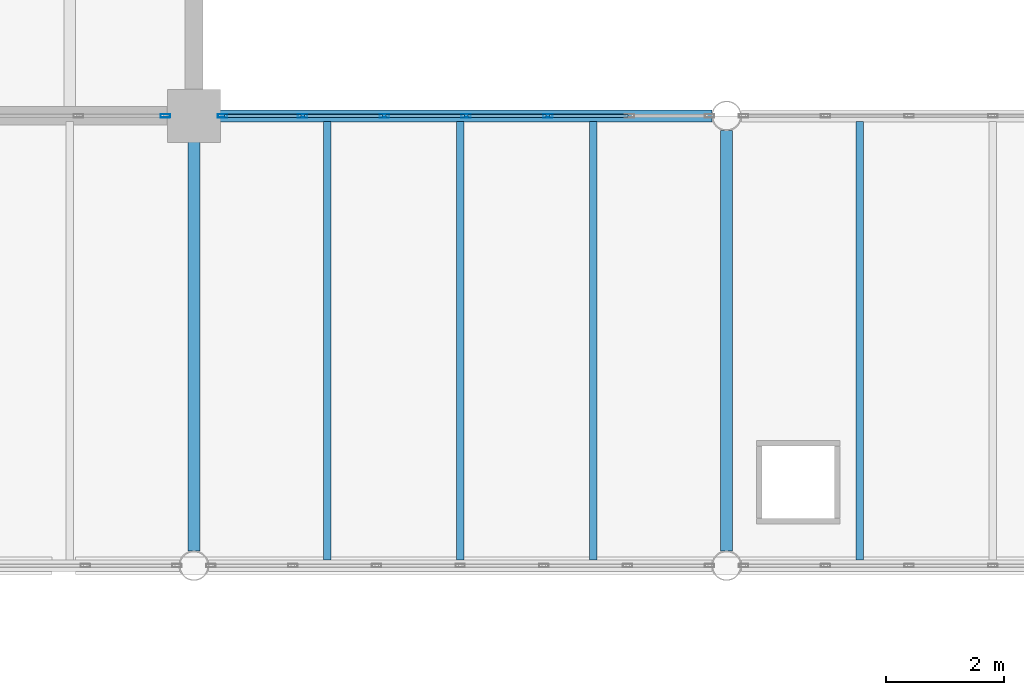
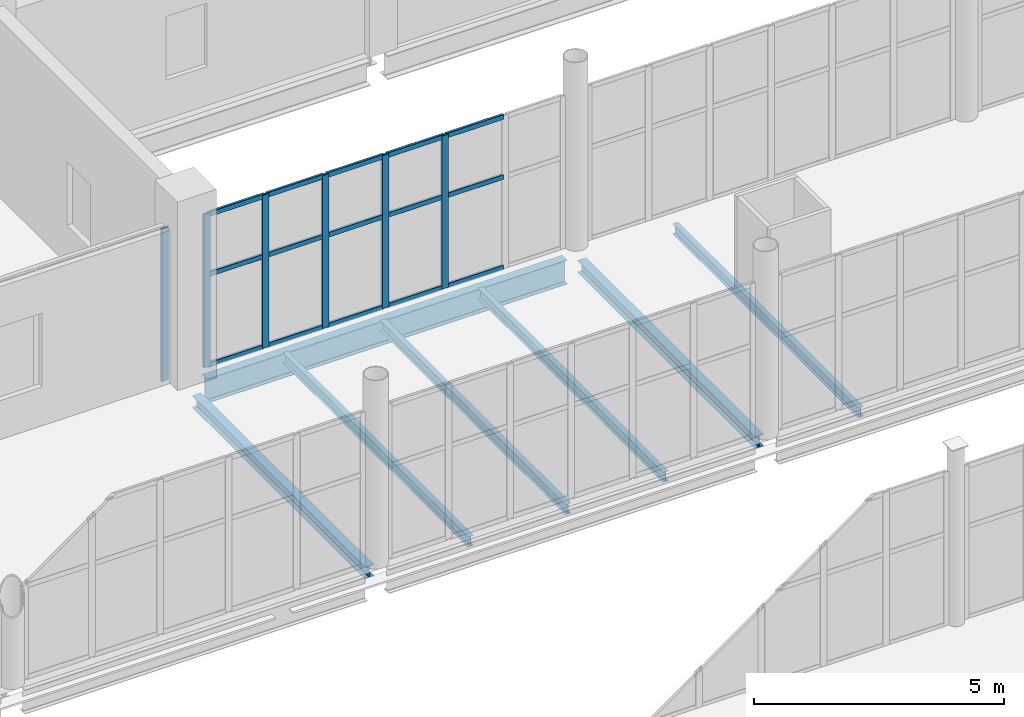
# One storey, part 91 of 172: 21 members, 7 beams, 2 elements without a shape of their own.
"""IFC4 building model written with IfcOpenShell, lengths in metres."""

from ifc_helpers import new_model, si_unit, direction, frame, origin, origin_2d, place, context, subcontext, project, spatial, hollow_rectangle, i_section, extrude, material, material_profile, profile_set, type_object, element, aggregate, save


model = new_model("IFC4")

# Units and contexts
model_context = context("Model", 3, precision=1e-05, world=origin(), true_north=direction((0.0, 1.0)))
body_context = subcontext(model_context, "Body", "Model", "MODEL_VIEW")
ifc_project = project(units=[si_unit("LENGTHUNIT", "METRE"), si_unit("AREAUNIT", "SQUARE_METRE"), si_unit("VOLUMEUNIT", "CUBIC_METRE"), si_unit("PLANEANGLEUNIT", "RADIAN"), si_unit("MASSUNIT", "GRAM", prefix="KILO")], contexts=[model_context])

# Site, building, storey
site_placement = place(None, origin())
site = spatial("IfcSite", under=ifc_project, at=site_placement, CompositionType="ELEMENT")
building_placement = place(site_placement, origin())
building = spatial("IfcBuilding", under=site, at=building_placement, Name="Shengluoqiao Park Theatre", CompositionType="ELEMENT")
storey_placement = place(building_placement, frame((0.0, 0.0, 5.39990234375)))
storey = spatial("IfcBuildingStorey", under=building, at=storey_placement, Name="L01", CompositionType="ELEMENT", Elevation=5.39990234375)

# Curtain wall, member
ifc_material_1 = material(Name="Aluminium 6063-T6", Category="aluminium")
curtain_wall_type = type_object("IfcCurtainWallType", Name="ENV-CW-BRIDGE", PredefinedType="NOTDEFINED", material=ifc_material_1)
curtain_wall_1_placement = place(storey_placement, origin())
curtain_wall_1 = element("IfcCurtainWall", 1, at=curtain_wall_1_placement, inside=storey, type_object=curtain_wall_type, Name="L01 Curtain Wall CWX-L01-0101", PredefinedType="NOTDEFINED")
ifc_material_profile_1 = material_profile(ifc_material_1, hollow_rectangle(XDim=0.06005859375, YDim=0.159912109375, WallThickness=0.00390625, InnerFilletRadius=0.00390625, OuterFilletRadius=0.008056640625, at=origin_2d()), Name="ALU MULLION 160x60x4")
ifc_profile_set_1 = profile_set([ifc_material_profile_1], Name="Aluminium 6063-T6")
member_type_1 = type_object("IfcMemberType", Name="ENV-MUL-160", PredefinedType="MULLION", material=ifc_profile_set_1)
member_1_placement = place(storey_placement, frame((111.916015625, 76.0, 0.0), z_axis=(0.0, 0.0, 1.0), x_axis=(0.0, 1.0, 0.0)))
member_1 = element("IfcMember", 2, at=member_1_placement, type_object=member_type_1, Name="CW-03 mullion 6", PredefinedType="MULLION", context=body_context, shape_type="SweptSolid", body=[
    extrude(hollow_rectangle(XDim=0.06005859375, YDim=0.159912109375, WallThickness=0.00390625, InnerFilletRadius=0.00390625, OuterFilletRadius=0.008056640625, at=origin_2d()), origin(), (0.0, 0.0, 1.0), 3.732177734375),
])
aggregate(curtain_wall_1, [member_1])

# Curtain wall, members
curtain_wall_2_placement = place(storey_placement, origin())
curtain_wall_2 = element("IfcCurtainWall", 3, at=curtain_wall_2_placement, inside=storey, type_object=curtain_wall_type, Name="L01 Curtain Wall CWX-L01-0102", PredefinedType="NOTDEFINED")
member_2_placement = place(storey_placement, frame((112.884033203125, 76.0, 0.0), z_axis=(0.0, 0.0, 1.0), x_axis=(0.0, 1.0, 0.0)))
member_2 = element("IfcMember", 4, at=member_2_placement, type_object=member_type_1, Name="CW-03 mullion 1", PredefinedType="MULLION", context=body_context, shape_type="SweptSolid", body=[
    extrude(hollow_rectangle(XDim=0.06005859375, YDim=0.159912109375, WallThickness=0.00390625, InnerFilletRadius=0.00390625, OuterFilletRadius=0.008056640625, at=origin_2d()), origin(), (0.0, 0.0, 1.0), 3.732177734375),
])
member_3_placement = place(storey_placement, frame((114.2353515625, 76.0, 0.0), z_axis=(0.0, 0.0, 1.0), x_axis=(0.0, 1.0, 0.0)))
member_3 = element("IfcMember", 5, at=member_3_placement, type_object=member_type_1, Name="CW-03 mullion 2", PredefinedType="MULLION", context=body_context, shape_type="SweptSolid", body=[
    extrude(hollow_rectangle(XDim=0.06005859375, YDim=0.159912109375, WallThickness=0.00390625, InnerFilletRadius=0.00390625, OuterFilletRadius=0.008056640625, at=origin_2d()), origin(), (0.0, 0.0, 1.0), 3.732177734375),
])
member_4_placement = place(storey_placement, frame((115.61669921875, 76.0, 0.0), z_axis=(0.0, 0.0, 1.0), x_axis=(0.0, 1.0, 0.0)))
member_4 = element("IfcMember", 6, at=member_4_placement, type_object=member_type_1, Name="CW-03 mullion 3", PredefinedType="MULLION", context=body_context, shape_type="SweptSolid", body=[
    extrude(hollow_rectangle(XDim=0.06005859375, YDim=0.159912109375, WallThickness=0.00390625, InnerFilletRadius=0.00390625, OuterFilletRadius=0.008056640625, at=origin_2d()), origin(), (0.0, 0.0, 1.0), 3.732177734375),
])
member_5_placement = place(storey_placement, frame((116.998046875, 76.0, 0.0), z_axis=(0.0, 0.0, 1.0), x_axis=(0.0, 1.0, 0.0)))
member_5 = element("IfcMember", 7, at=member_5_placement, type_object=member_type_1, Name="CW-03 mullion 4", PredefinedType="MULLION", context=body_context, shape_type="SweptSolid", body=[
    extrude(hollow_rectangle(XDim=0.06005859375, YDim=0.159912109375, WallThickness=0.00390625, InnerFilletRadius=0.00390625, OuterFilletRadius=0.008056640625, at=origin_2d()), origin(), (0.0, 0.0, 1.0), 3.732177734375),
])
member_6_placement = place(storey_placement, frame((118.37939453125, 76.0, 0.0), z_axis=(0.0, 0.0, 1.0), x_axis=(0.0, 1.0, 0.0)))
member_6 = element("IfcMember", 8, at=member_6_placement, type_object=member_type_1, Name="CW-03 mullion 5", PredefinedType="MULLION", context=body_context, shape_type="SweptSolid", body=[
    extrude(hollow_rectangle(XDim=0.06005859375, YDim=0.159912109375, WallThickness=0.00390625, InnerFilletRadius=0.00390625, OuterFilletRadius=0.008056640625, at=origin_2d()), origin(), (0.0, 0.0, 1.0), 3.732177734375),
])
ifc_material_profile_2 = material_profile(ifc_material_1, hollow_rectangle(XDim=0.06005859375, YDim=0.1201171875, WallThickness=0.00390625, InnerFilletRadius=0.00390625, OuterFilletRadius=0.008056640625, at=origin_2d()), Name="ALU TRANSOM 120x60x4")
ifc_profile_set_2 = profile_set([ifc_material_profile_2], Name="Aluminium 6063-T6")
member_type_2 = type_object("IfcMemberType", Name="ENV-TRN-120", PredefinedType="USERDEFINED", material=ifc_profile_set_2)
member_7_placement = place(storey_placement, frame((112.9140625, 76.0, 0.030029296875), z_axis=(1.0, 0.0, 0.0), x_axis=(0.0, 1.0, 0.0)))
member_7 = element("IfcMember", 9, at=member_7_placement, type_object=member_type_2, Name="CW-03 transom 1.1", ObjectType="TRANSOM", PredefinedType="USERDEFINED", context=body_context, shape_type="SweptSolid", body=[
    extrude(hollow_rectangle(XDim=0.06005859375, YDim=0.1201171875, WallThickness=0.00390625, InnerFilletRadius=0.00390625, OuterFilletRadius=0.008056640625, at=origin_2d()), origin(), (0.0, 0.0, 1.0), 1.291259765625),
])
member_8_placement = place(storey_placement, frame((112.9140625, 76.0, 2.239013671875), z_axis=(1.0, 0.0, 0.0), x_axis=(0.0, 1.0, 0.0)))
member_8 = element("IfcMember", 10, at=member_8_placement, type_object=member_type_2, Name="CW-03 transom 1.2", ObjectType="TRANSOM", PredefinedType="USERDEFINED", context=body_context, shape_type="SweptSolid", body=[
    extrude(hollow_rectangle(XDim=0.06005859375, YDim=0.1201171875, WallThickness=0.00390625, InnerFilletRadius=0.00390625, OuterFilletRadius=0.008056640625, at=origin_2d()), origin(), (0.0, 0.0, 1.0), 1.291259765625),
])
member_9_placement = place(storey_placement, frame((112.9140625, 76.0, 3.7021484375), z_axis=(1.0, 0.0, 0.0), x_axis=(0.0, 1.0, 0.0)))
member_9 = element("IfcMember", 11, at=member_9_placement, type_object=member_type_2, Name="CW-03 transom 1.3", ObjectType="TRANSOM", PredefinedType="USERDEFINED", context=body_context, shape_type="SweptSolid", body=[
    extrude(hollow_rectangle(XDim=0.06005859375, YDim=0.1201171875, WallThickness=0.00390625, InnerFilletRadius=0.00390625, OuterFilletRadius=0.008056640625, at=origin_2d()), origin(), (0.0, 0.0, 1.0), 1.291259765625),
])
member_10_placement = place(storey_placement, frame((114.265380859375, 76.0, 0.030029296875), z_axis=(1.0, 0.0, 0.0), x_axis=(0.0, 1.0, 0.0)))
member_10 = element("IfcMember", 12, at=member_10_placement, type_object=member_type_2, Name="CW-03 transom 2.1", ObjectType="TRANSOM", PredefinedType="USERDEFINED", context=body_context, shape_type="SweptSolid", body=[
    extrude(hollow_rectangle(XDim=0.06005859375, YDim=0.1201171875, WallThickness=0.00390625, InnerFilletRadius=0.00390625, OuterFilletRadius=0.008056640625, at=origin_2d()), origin(), (0.0, 0.0, 1.0), 1.3212890625),
])
member_11_placement = place(storey_placement, frame((114.265380859375, 76.0, 2.239013671875), z_axis=(1.0, 0.0, 0.0), x_axis=(0.0, 1.0, 0.0)))
member_11 = element("IfcMember", 13, at=member_11_placement, type_object=member_type_2, Name="CW-03 transom 2.2", ObjectType="TRANSOM", PredefinedType="USERDEFINED", context=body_context, shape_type="SweptSolid", body=[
    extrude(hollow_rectangle(XDim=0.06005859375, YDim=0.1201171875, WallThickness=0.00390625, InnerFilletRadius=0.00390625, OuterFilletRadius=0.008056640625, at=origin_2d()), origin(), (0.0, 0.0, 1.0), 1.3212890625),
])
member_12_placement = place(storey_placement, frame((114.265380859375, 76.0, 3.7021484375), z_axis=(1.0, 0.0, 0.0), x_axis=(0.0, 1.0, 0.0)))
member_12 = element("IfcMember", 14, at=member_12_placement, type_object=member_type_2, Name="CW-03 transom 2.3", ObjectType="TRANSOM", PredefinedType="USERDEFINED", context=body_context, shape_type="SweptSolid", body=[
    extrude(hollow_rectangle(XDim=0.06005859375, YDim=0.1201171875, WallThickness=0.00390625, InnerFilletRadius=0.00390625, OuterFilletRadius=0.008056640625, at=origin_2d()), origin(), (0.0, 0.0, 1.0), 1.3212890625),
])
member_13_placement = place(storey_placement, frame((115.646728515625, 76.0, 0.030029296875), z_axis=(1.0, 0.0, 0.0), x_axis=(0.0, 1.0, 0.0)))
member_13 = element("IfcMember", 15, at=member_13_placement, type_object=member_type_2, Name="CW-03 transom 3.1", ObjectType="TRANSOM", PredefinedType="USERDEFINED", context=body_context, shape_type="SweptSolid", body=[
    extrude(hollow_rectangle(XDim=0.06005859375, YDim=0.1201171875, WallThickness=0.00390625, InnerFilletRadius=0.00390625, OuterFilletRadius=0.008056640625, at=origin_2d()), origin(), (0.0, 0.0, 1.0), 1.3212890625),
])
member_14_placement = place(storey_placement, frame((115.646728515625, 76.0, 2.239013671875), z_axis=(1.0, 0.0, 0.0), x_axis=(0.0, 1.0, 0.0)))
member_14 = element("IfcMember", 16, at=member_14_placement, type_object=member_type_2, Name="CW-03 transom 3.2", ObjectType="TRANSOM", PredefinedType="USERDEFINED", context=body_context, shape_type="SweptSolid", body=[
    extrude(hollow_rectangle(XDim=0.06005859375, YDim=0.1201171875, WallThickness=0.00390625, InnerFilletRadius=0.00390625, OuterFilletRadius=0.008056640625, at=origin_2d()), origin(), (0.0, 0.0, 1.0), 1.3212890625),
])
member_15_placement = place(storey_placement, frame((115.646728515625, 76.0, 3.7021484375), z_axis=(1.0, 0.0, 0.0), x_axis=(0.0, 1.0, 0.0)))
member_15 = element("IfcMember", 17, at=member_15_placement, type_object=member_type_2, Name="CW-03 transom 3.3", ObjectType="TRANSOM", PredefinedType="USERDEFINED", context=body_context, shape_type="SweptSolid", body=[
    extrude(hollow_rectangle(XDim=0.06005859375, YDim=0.1201171875, WallThickness=0.00390625, InnerFilletRadius=0.00390625, OuterFilletRadius=0.008056640625, at=origin_2d()), origin(), (0.0, 0.0, 1.0), 1.3212890625),
])
member_16_placement = place(storey_placement, frame((117.028076171875, 76.0, 0.030029296875), z_axis=(1.0, 0.0, 0.0), x_axis=(0.0, 1.0, 0.0)))
member_16 = element("IfcMember", 18, at=member_16_placement, type_object=member_type_2, Name="CW-03 transom 4.1", ObjectType="TRANSOM", PredefinedType="USERDEFINED", context=body_context, shape_type="SweptSolid", body=[
    extrude(hollow_rectangle(XDim=0.06005859375, YDim=0.1201171875, WallThickness=0.00390625, InnerFilletRadius=0.00390625, OuterFilletRadius=0.008056640625, at=origin_2d()), origin(), (0.0, 0.0, 1.0), 1.3212890625),
])
member_17_placement = place(storey_placement, frame((117.028076171875, 76.0, 2.239013671875), z_axis=(1.0, 0.0, 0.0), x_axis=(0.0, 1.0, 0.0)))
member_17 = element("IfcMember", 19, at=member_17_placement, type_object=member_type_2, Name="CW-03 transom 4.2", ObjectType="TRANSOM", PredefinedType="USERDEFINED", context=body_context, shape_type="SweptSolid", body=[
    extrude(hollow_rectangle(XDim=0.06005859375, YDim=0.1201171875, WallThickness=0.00390625, InnerFilletRadius=0.00390625, OuterFilletRadius=0.008056640625, at=origin_2d()), origin(), (0.0, 0.0, 1.0), 1.3212890625),
])
member_18_placement = place(storey_placement, frame((117.028076171875, 76.0, 3.7021484375), z_axis=(1.0, 0.0, 0.0), x_axis=(0.0, 1.0, 0.0)))
member_18 = element("IfcMember", 20, at=member_18_placement, type_object=member_type_2, Name="CW-03 transom 4.3", ObjectType="TRANSOM", PredefinedType="USERDEFINED", context=body_context, shape_type="SweptSolid", body=[
    extrude(hollow_rectangle(XDim=0.06005859375, YDim=0.1201171875, WallThickness=0.00390625, InnerFilletRadius=0.00390625, OuterFilletRadius=0.008056640625, at=origin_2d()), origin(), (0.0, 0.0, 1.0), 1.3212890625),
])
member_19_placement = place(storey_placement, frame((118.409423828125, 76.0, 0.030029296875), z_axis=(1.0, 0.0, 0.0), x_axis=(0.0, 1.0, 0.0)))
member_19 = element("IfcMember", 21, at=member_19_placement, type_object=member_type_2, Name="CW-03 transom 5.1", ObjectType="TRANSOM", PredefinedType="USERDEFINED", context=body_context, shape_type="SweptSolid", body=[
    extrude(hollow_rectangle(XDim=0.06005859375, YDim=0.1201171875, WallThickness=0.00390625, InnerFilletRadius=0.00390625, OuterFilletRadius=0.008056640625, at=origin_2d()), origin(), (0.0, 0.0, 1.0), 1.3212890625),
])
member_20_placement = place(storey_placement, frame((118.409423828125, 76.0, 2.239013671875), z_axis=(1.0, 0.0, 0.0), x_axis=(0.0, 1.0, 0.0)))
member_20 = element("IfcMember", 22, at=member_20_placement, type_object=member_type_2, Name="CW-03 transom 5.2", ObjectType="TRANSOM", PredefinedType="USERDEFINED", context=body_context, shape_type="SweptSolid", body=[
    extrude(hollow_rectangle(XDim=0.06005859375, YDim=0.1201171875, WallThickness=0.00390625, InnerFilletRadius=0.00390625, OuterFilletRadius=0.008056640625, at=origin_2d()), origin(), (0.0, 0.0, 1.0), 1.3212890625),
])
member_21_placement = place(storey_placement, frame((118.409423828125, 76.0, 3.7021484375), z_axis=(1.0, 0.0, 0.0), x_axis=(0.0, 1.0, 0.0)))
member_21 = element("IfcMember", 23, at=member_21_placement, type_object=member_type_2, Name="CW-03 transom 5.3", ObjectType="TRANSOM", PredefinedType="USERDEFINED", context=body_context, shape_type="SweptSolid", body=[
    extrude(hollow_rectangle(XDim=0.06005859375, YDim=0.1201171875, WallThickness=0.00390625, InnerFilletRadius=0.00390625, OuterFilletRadius=0.008056640625, at=origin_2d()), origin(), (0.0, 0.0, 1.0), 1.3212890625),
])
aggregate(curtain_wall_2, [member_2, member_3, member_4, member_5, member_6, member_7, member_8, member_9, member_10, member_11, member_12, member_13, member_14, member_15, member_16, member_17, member_18, member_19, member_20, member_21])

# Beams
ifc_material_2 = material(Name="Steel Q355", Category="steel")
ifc_material_profile_3 = material_profile(ifc_material_2, i_section(OverallWidth=0.199951171875, OverallDepth=0.2939453125, WebThickness=0.008056640625, FlangeThickness=0.011962890625, FilletRadius=0.01611328125, at=origin_2d()), Name="HM 294x200x8x12")
ifc_profile_set_3 = profile_set([ifc_material_profile_3], Name="Steel Q355")
beam_type_1 = type_object("IfcBeamType", Name="STR-BM-G-HM294", PredefinedType="BEAM", material=ifc_profile_set_3)
beam_1_placement = place(storey_placement, frame((112.39990234375, 68.64794921875, -0.386962890625), z_axis=(0.0, 1.0, 0.0), x_axis=(-1.0, 0.0, 0.0)))
element("IfcBeam", 24, at=beam_1_placement, inside=storey, type_object=beam_type_1, Name="L01 Transverse Girder 00531", PredefinedType="BEAM", context=body_context, shape_type="SweptSolid", body=[
    extrude(i_section(OverallWidth=0.199951171875, OverallDepth=0.2939453125, WebThickness=0.008056640625, FlangeThickness=0.011962890625, FilletRadius=0.01611328125, at=origin_2d()), origin(), (0.0, 0.0, 1.0), 6.907958984375),
])
beam_2_placement = place(storey_placement, frame((121.39990234375, 68.64794921875, -0.35693359375), z_axis=(0.0, 1.0, 0.0), x_axis=(-1.0, 0.0, 0.0)))
element("IfcBeam", 25, at=beam_2_placement, inside=storey, type_object=beam_type_1, Name="L01 Transverse Girder 00532", PredefinedType="BEAM", context=body_context, shape_type="SweptSolid", body=[
    extrude(i_section(OverallWidth=0.199951171875, OverallDepth=0.2939453125, WebThickness=0.008056640625, FlangeThickness=0.011962890625, FilletRadius=0.01611328125, at=origin_2d()), origin(), (0.0, 0.0, 1.0), 7.10400390625),
])
ifc_material_profile_4 = material_profile(ifc_material_2, i_section(OverallWidth=0.125, OverallDepth=0.25, WebThickness=0.006103515625, FlangeThickness=0.009033203125, FilletRadius=0.010009765625, at=origin_2d()), Name="HN 250x125x6x9")
ifc_profile_set_4 = profile_set([ifc_material_profile_4], Name="Steel Q355")
beam_type_2 = type_object("IfcBeamType", Name="STR-BM-J-HN250", PredefinedType="JOIST", material=ifc_profile_set_4)
for number, where, z_axis, x_axis, name in (
    (26, (114.64990234375, 68.494384765625, -0.3349609375), (0.0, 1.0, 0.0), (-1.0, 0.0, 0.0), "L01 Composite Joist 00546"),
    (27, (116.89990234375, 68.494384765625, -0.3349609375), (0.0, 1.0, 0.0), (-1.0, 0.0, 0.0), "L01 Composite Joist 00547"),
    (28, (119.14990234375, 68.494384765625, -0.3349609375), (0.0, 1.0, 0.0), (-1.0, 0.0, 0.0), "L01 Composite Joist 00548"),
    (29, (123.64990234375, 68.494384765625, -0.3349609375), (0.0, 1.0, 0.0), (-1.0, 0.0, 0.0), "L01 Composite Joist 00549"),
):
    element("IfcBeam", number, at=place(storey_placement, frame(where, z_axis=z_axis, x_axis=x_axis)), inside=storey, type_object=beam_type_2, Name=name, PredefinedType="JOIST", context=body_context, shape_type="SweptSolid", body=[
        extrude(i_section(OverallWidth=0.125, OverallDepth=0.25, WebThickness=0.006103515625, FlangeThickness=0.009033203125, FilletRadius=0.010009765625, at=origin_2d()), origin(), (0.0, 0.0, 1.0), 7.4111328125),
    ])
ifc_material_profile_5 = material_profile(ifc_material_2, i_section(OverallWidth=0.198974609375, OverallDepth=0.595947265625, WebThickness=0.010009765625, FlangeThickness=0.014892578125, FilletRadius=0.02001953125, at=origin_2d()), Name="HN 596x199x10x15")
ifc_profile_set_5 = profile_set([ifc_material_profile_5], Name="Steel Q355")
beam_type_3 = type_object("IfcBeamType", Name="STR-BM-SP-HN596", PredefinedType="SPANDREL", material=ifc_profile_set_5)
beam_3_placement = place(storey_placement, frame((112.843994140625, 76.0, -0.537841796875), z_axis=(1.0, 0.0, 0.0), x_axis=(0.0, 1.0, 0.0)))
element("IfcBeam", 30, at=beam_3_placement, inside=storey, type_object=beam_type_3, Name="L01 Primary Girder 00524", PredefinedType="SPANDREL", context=body_context, shape_type="SweptSolid", body=[
    extrude(i_section(OverallWidth=0.198974609375, OverallDepth=0.595947265625, WebThickness=0.010009765625, FlangeThickness=0.014892578125, FilletRadius=0.02001953125, at=origin_2d()), origin(), (0.0, 0.0, 1.0), 8.30810546875),
])

save(model, "model.ifc")
